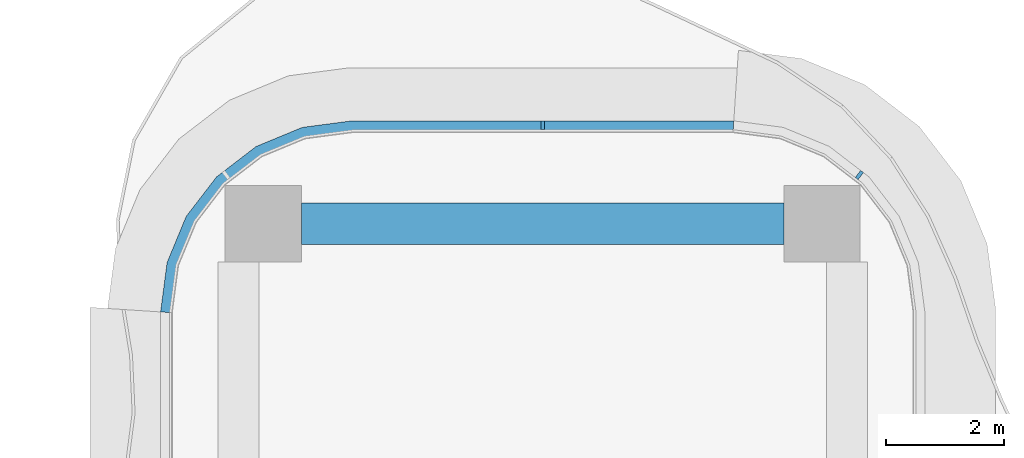
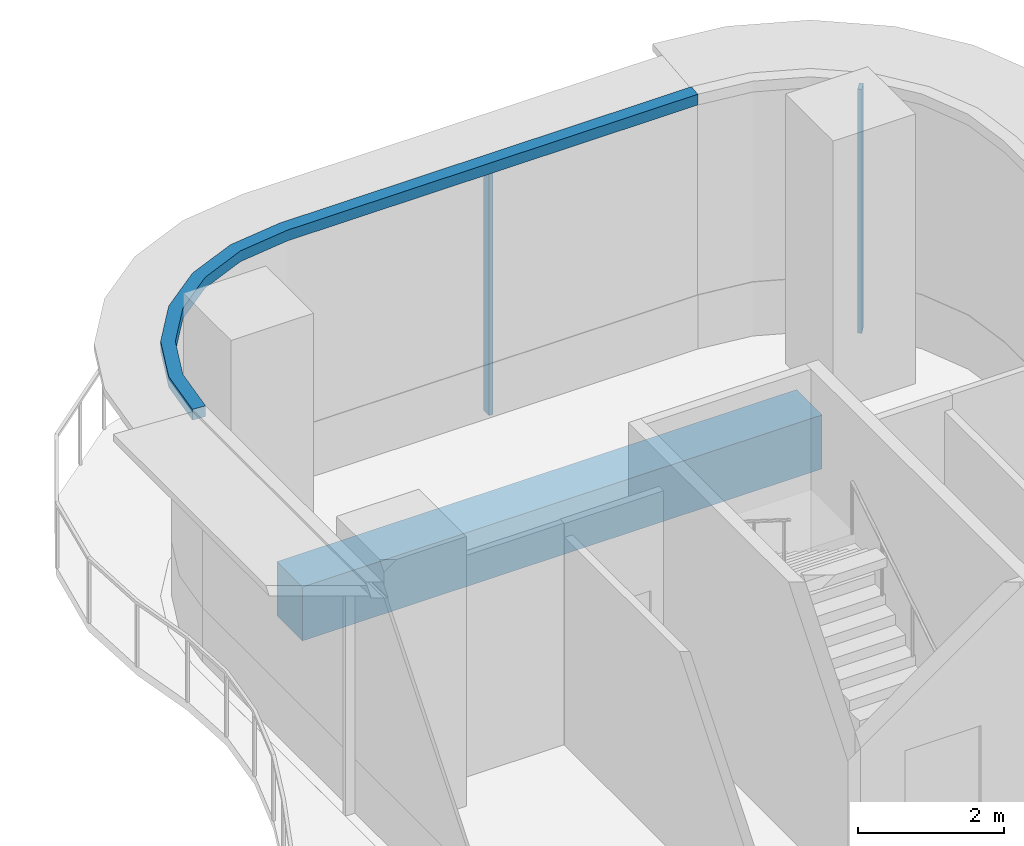
# One storey, part 11 of 20: 3 members, 1 beam, 2 elements without a shape of their own.
"""IFC4 building model written with IfcOpenShell, lengths in metres."""

from ifc_helpers import new_model, si_unit, direction, frame, origin, origin_2d, place, context, subcontext, project, spatial, polyline, rectangle, outline, extrude, source, transform, mapped, material, layer, layer_set, material_profile, profile_set, type_object, element, aggregate, save


model = new_model("IFC4")

# Units and contexts
model_context = context("Model", 3, precision=1e-05, world=origin(), true_north=direction((0.0, 1.0)))
body_context = subcontext(model_context, "Body", "Model", "MODEL_VIEW")
ifc_project = project(units=[si_unit("LENGTHUNIT", "METRE"), si_unit("AREAUNIT", "SQUARE_METRE"), si_unit("VOLUMEUNIT", "CUBIC_METRE"), si_unit("PLANEANGLEUNIT", "RADIAN"), si_unit("MASSUNIT", "GRAM", prefix="KILO")], contexts=[model_context])

# Site, building, storey
site_placement = place(None, origin())
site = spatial("IfcSite", under=ifc_project, at=site_placement, CompositionType="ELEMENT")
building_placement = place(site_placement, origin())
building = spatial("IfcBuilding", under=site, at=building_placement, Name="Trellis Farm Tower", CompositionType="ELEMENT")
storey_placement = place(building_placement, frame((0.0, 0.0, 142.5)))
storey = spatial("IfcBuildingStorey", under=building, at=storey_placement, Name="L30", CompositionType="ELEMENT", Elevation=142.5)

# Beam
ifc_material_1 = material(Name="Concrete C60/75", Category="concrete")
ifc_material_profile_1 = material_profile(ifc_material_1, rectangle(XDim=0.699951171875, YDim=0.89990234375, at=origin_2d()), Name="RC spandrel beam 700x900 C60/75")
ifc_profile_set_1 = profile_set([ifc_material_profile_1], Name="Concrete C60/75")
beam_type = type_object("IfcBeamType", Name="RC spandrel beam 700x900 C60/75", PredefinedType="SPANDREL", material=ifc_profile_set_1)
shared_shape_1 = source(origin(), body_context, "Body", "SweptSolid", [
    extrude(rectangle(XDim=0.699951171875, YDim=0.89990234375, at=origin_2d()), origin(), (0.0, 0.0, 1.0), 8.2001953125),
])
beam_placement = place(storey_placement, frame((-4.10009765625, 24.25, -0.699951171875), z_axis=(1.0, 0.0, 0.0), x_axis=(0.0, 1.0, 0.0)))
element("IfcBeam", 1, at=beam_placement, inside=storey, type_object=beam_type, Name="Girder", PredefinedType="SPANDREL", context=body_context, shape_type="MappedRepresentation", body=[
    mapped(shared_shape_1, transform((0.0, 0.0, 0.0))),
])

# Curtain wall, member
ifc_material_2 = material(Name="Aluminium and glass curtain wall", Category="aluminium")
ifc_layer_1 = layer(ifc_material_2, 0.18994140625)
ifc_layer_set_1 = layer_set([ifc_layer_1], Name="RIBBON CURTAIN WALL CW1")
curtain_wall_type = type_object("IfcCurtainWallType", Name="RIBBON CURTAIN WALL CW1", PredefinedType="NOTDEFINED", material=ifc_layer_set_1)
placement = place(storey_placement, origin())
curtain_wall_1 = element("IfcCurtainWall", 2, at=placement, inside=storey, type_object=curtain_wall_type, Name="CW1 009", PredefinedType="NOTDEFINED")
ifc_material_3 = material(Name="Aluminium extrusion 6063-T6", Category="aluminium")
ifc_material_profile_2 = material_profile(ifc_material_3, rectangle(XDim=0.06005859375, YDim=0.14990234375, at=origin_2d()), Name="MULLION 60x150")
ifc_profile_set_2 = profile_set([ifc_material_profile_2], Name="Aluminium extrusion 6063-T6")
member_type_1 = type_object("IfcMemberType", Name="CW1 MULLION 60x150", PredefinedType="MULLION", material=ifc_profile_set_2)
shared_shape_2 = source(origin(), body_context, "Body", "SweptSolid", [
    extrude(rectangle(XDim=0.06005859375, YDim=0.14990234375, at=origin_2d()), origin(), (0.0, 0.0, 1.0), 4.070068359375),
])
member_1_placement = place(storey_placement, frame((5.385498046875, 25.078369140625, 0.0), z_axis=(0.0, 0.0, 1.0), x_axis=(-0.793353340291, 0.608761429009, 0.0)))
member_1 = element("IfcMember", 3, at=member_1_placement, type_object=member_type_1, Name="MU1 009-03", PredefinedType="MULLION", context=body_context, shape_type="MappedRepresentation", body=[
    mapped(shared_shape_2, transform((0.0, 0.0, 0.0))),
])
aggregate(curtain_wall_1, [member_1])

# Curtain wall, members
curtain_wall_2 = element("IfcCurtainWall", 4, at=placement, inside=storey, type_object=curtain_wall_type, Name="CW1 010", PredefinedType="NOTDEFINED")
member_2_placement = place(storey_placement, frame((0.0, 25.925048828125, 0.0), z_axis=(0.0, 0.0, 1.0), x_axis=(-1.0, 0.0, 0.0)))
member_2 = element("IfcMember", 5, at=member_2_placement, type_object=member_type_1, Name="MU1 010-01", PredefinedType="MULLION", context=body_context, shape_type="MappedRepresentation", body=[
    mapped(shared_shape_2, transform((0.0, 0.0, 0.0))),
])
ifc_layer_2 = layer(ifc_material_3, 0.199951171875)
ifc_layer_set_2 = layer_set([ifc_layer_2], Name="Aluminium extrusion 6063-T6")
member_type_2 = type_object("IfcMemberType", Name="CW1 TRANSOM 200x180", PredefinedType="USERDEFINED", material=ifc_layer_set_2)
shared_shape_3 = source(origin(), body_context, "Body", "SweptSolid", [
    extrude(outline(polyline([(3.25, 26.0), (-3.25, 26.0), (-4.091064453125, 25.88916015625), (-4.875, 25.564697265625), (-5.548095703125, 25.048095703125), (-6.064697265625, 24.375), (-6.38916015625, 23.591064453125), (-6.5, 22.75), (-6.300048828125, 22.73681640625), (-6.1943359375, 23.5390625), (-5.889892578125, 24.274169921875), (-5.405517578125, 24.905517578125), (-4.774169921875, 25.389892578125), (-4.0390625, 25.6943359375), (-3.23681640625, 25.800048828125), (3.23681640625, 25.800048828125), (3.25, 26.0)])), origin(), (0.0, 0.0, 1.0), 0.179931640625),
])
member_3_placement = place(storey_placement, frame((0.0, 0.0, 4.070068359375)))
member_3 = element("IfcMember", 6, at=member_3_placement, type_object=member_type_2, Name="TR1 010", ObjectType="TRANSOM", PredefinedType="USERDEFINED", context=body_context, shape_type="MappedRepresentation", body=[
    mapped(shared_shape_3, transform((0.0, 0.0, 0.0))),
])
aggregate(curtain_wall_2, [member_2, member_3])

save(model, "model.ifc")
